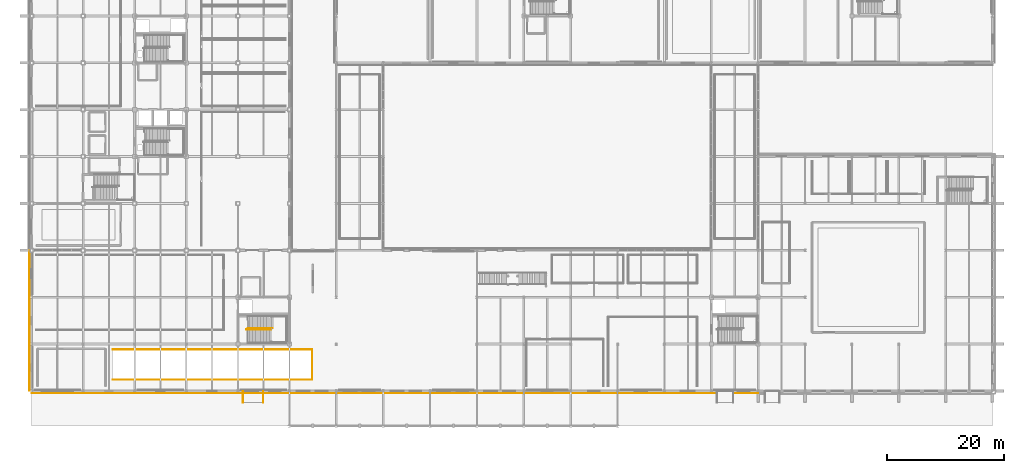
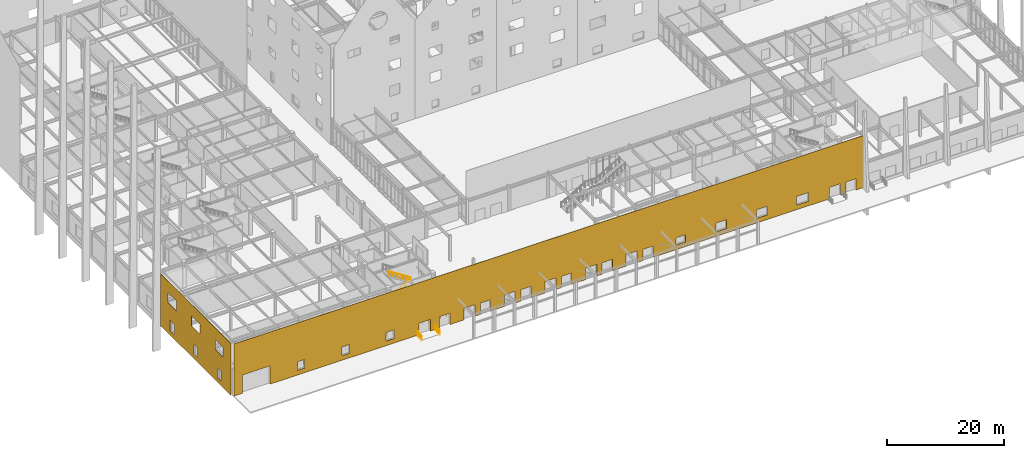
# One storey, part 101 of 119: 5 railings, 2 coverings, 28 openings.
"""IFC4 building model written with IfcOpenShell, lengths in metres."""

from ifc_helpers import new_model, si_unit, direction, frame, frame_2d, origin, origin_2d, place, context, subcontext, project, spatial, rectangle, circle, extrude, material, layer, layer_set, type_object, element, save


model = new_model("IFC4")

# Units and contexts
model_context = context("Model", 3, precision=1e-05, world=origin(), true_north=direction((0.0, 1.0)))
body_context = subcontext(model_context, "Body", "Model", "MODEL_VIEW")
ifc_project = project(units=[si_unit("LENGTHUNIT", "METRE"), si_unit("AREAUNIT", "SQUARE_METRE"), si_unit("VOLUMEUNIT", "CUBIC_METRE"), si_unit("PLANEANGLEUNIT", "RADIAN"), si_unit("MASSUNIT", "GRAM", prefix="KILO")], contexts=[model_context])

# Site, building, storey
site_placement = place(None, origin())
site = spatial("IfcSite", under=ifc_project, at=site_placement, CompositionType="ELEMENT")
building_placement = place(site_placement, origin())
building = spatial("IfcBuilding", under=site, at=building_placement, Name="Zhaolan Boulevard Law Courts", CompositionType="ELEMENT")
storey_placement = place(building_placement, origin())
storey = spatial("IfcBuildingStorey", under=building, at=storey_placement, Name="L00", CompositionType="ELEMENT", Elevation=0.0)

# Railings
ifc_material_1 = material(Name="Brushed stainless steel tubular handrail", Category="steel")
railing_type_1 = type_object("IfcRailingType", Name="STAIR HANDRAIL 900", PredefinedType="HANDRAIL", material=ifc_material_1)
railing_1_placement = place(storey_placement, frame((36.64990234375, 16.47998046875, 0.0)))
element("IfcRailing", 1, at=railing_1_placement, inside=storey, type_object=railing_type_1, Name="Stair Handrail HR-ST04-L00-1", PredefinedType="HANDRAIL", context=body_context, shape_type="SweptSolid", body=[
    extrude(circle(Radius=0.0224609375, at=origin_2d()), frame((0.0, 0.0, 0.87744140625), z_axis=(0.843501457581, 0.0, 0.537126885437), x_axis=(0.0, 1.0, 0.0)), (0.0, 0.0, 1.0), 5.026611328125),
    extrude(circle(Radius=0.01904296875, at=origin_2d()), origin(), (0.0, 0.0, 1.0), 0.85498046875),
    extrude(circle(Radius=0.01904296875, at=origin_2d()), frame((0.847900390625, 0.0, 0.5400390625)), (0.0, 0.0, 1.0), 0.85498046875),
    extrude(circle(Radius=0.01904296875, at=origin_2d()), frame((1.696044921875, 0.0, 1.080078125)), (0.0, 0.0, 1.0), 0.85498046875),
    extrude(circle(Radius=0.01904296875, at=origin_2d()), frame((2.5439453125, 0.0, 1.619873046875)), (0.0, 0.0, 1.0), 0.85498046875),
    extrude(circle(Radius=0.01904296875, at=origin_2d()), frame((3.39208984375, 0.0, 2.159912109375)), (0.0, 0.0, 1.0), 0.85498046875),
    extrude(circle(Radius=0.01904296875, at=origin_2d()), frame((4.239990234375, 0.0, 2.699951171875)), (0.0, 0.0, 1.0), 0.85498046875),
])
railing_2_placement = place(storey_placement, frame((41.175048828125, 16.699951171875, 2.699951171875)))
element("IfcRailing", 2, at=railing_2_placement, inside=storey, type_object=railing_type_1, Name="Stair Handrail HR-ST04-L00-2", PredefinedType="HANDRAIL", context=body_context, shape_type="SweptSolid", body=[
    extrude(circle(Radius=0.0224609375, at=origin_2d()), frame((0.0, 0.0, 0.87744140625), z_axis=(-0.843501457581, 0.0, 0.537126885437), x_axis=(0.0, -1.0, 0.0)), (0.0, 0.0, 1.0), 5.026611328125),
    extrude(circle(Radius=0.01904296875, at=origin_2d()), origin(), (0.0, 0.0, 1.0), 0.85498046875),
    extrude(circle(Radius=0.01904296875, at=origin_2d()), frame((-0.847900390625, 0.0, 0.5400390625)), (0.0, 0.0, 1.0), 0.85498046875),
    extrude(circle(Radius=0.01904296875, at=origin_2d()), frame((-1.696044921875, 0.0, 1.080078125)), (0.0, 0.0, 1.0), 0.85498046875),
    extrude(circle(Radius=0.01904296875, at=origin_2d()), frame((-2.5439453125, 0.0, 1.619873046875)), (0.0, 0.0, 1.0), 0.85498046875),
    extrude(circle(Radius=0.01904296875, at=origin_2d()), frame((-3.39208984375, 0.0, 2.159912109375)), (0.0, 0.0, 1.0), 0.85498046875),
    extrude(circle(Radius=0.01904296875, at=origin_2d()), frame((-4.239990234375, 0.0, 2.699951171875)), (0.0, 0.0, 1.0), 0.85498046875),
])
ifc_material_2 = material(Name="Powder-coated steel baluster guardrail", Category="steel")
railing_type_2 = type_object("IfcRailingType", Name="STAIR WELL GUARDRAIL 1120", PredefinedType="GUARDRAIL", material=ifc_material_2)
for number, where, name in (
    (3, (36.06005859375, 4.010009765625, -0.159912109375), "Accessible Ramp Guardrail RHR-01"),
    (4, (39.5400390625, 4.010009765625, -0.159912109375), "Accessible Ramp Guardrail RHR-01B"),
):
    element("IfcRailing", number, at=place(storey_placement, frame(where)), inside=storey, type_object=railing_type_2, Name=name, PredefinedType="GUARDRAIL", context=body_context, shape_type="SweptSolid", body=[
        extrude(circle(Radius=0.02392578125, at=origin_2d()), frame((0.0, 0.0, 1.09619140625), z_axis=(0.0, 0.996688107788, 0.08131922155), x_axis=(-1.0, 0.0, 0.0)), (0.0, 0.0, 1.0), 1.966552734375),
        extrude(circle(Radius=0.02099609375, at=origin_2d()), origin(), (0.0, 0.0, 1.0), 1.072021484375),
        extrude(circle(Radius=0.02099609375, at=origin_2d()), frame((0.0, 0.6533203125, 0.05322265625)), (0.0, 0.0, 1.0), 1.072021484375),
        extrude(circle(Radius=0.02099609375, at=origin_2d()), frame((0.0, 1.306640625, 0.106689453125)), (0.0, 0.0, 1.0), 1.072021484375),
        extrude(circle(Radius=0.02099609375, at=origin_2d()), frame((0.0, 1.9599609375, 0.159912109375)), (0.0, 0.0, 1.0), 1.072021484375),
    ])

# Covering, openings
ifc_material_3 = material(Name="Pale mist-grey standing-seam Al-Mg-Mn zinc-titanium")
ifc_layer = layer(ifc_material_3, 0.050048828125)
ifc_layer_set = layer_set([ifc_layer])
covering_type = type_object("IfcCoveringType", Name="STANDING SEAM CLADDING 50", PredefinedType="CLADDING", material=ifc_layer_set)
covering_1_placement = place(storey_placement, frame((0.0, 5.635009765625, 0.0), z_axis=(0.0, 0.0, 1.0), x_axis=(1.0, 0.0, 0.0)))
covering_1 = element("IfcCovering", 5, at=covering_1_placement, inside=storey, type_object=covering_type, Name="Standing-Seam Metal Wall Wrap SSC-036", PredefinedType="CLADDING", context=body_context, shape_type="SweptSolid", body=[
    extrude(rectangle(XDim=124.0, YDim=0.050048828125, at=frame_2d((62.0, 0.0))), origin(), (0.0, 0.0, 1.0), 10.85009765625),
])
opening_1_placement = place(storey_placement, frame((1.699951171875, 5.635009765625, 0.0), z_axis=(0.0, 0.0, 1.0), x_axis=(1.0, 0.0, 0.0)))
element("IfcOpeningElement", 6, at=opening_1_placement, cuts=covering_1, Name="Cladding Void VD-03", PredefinedType="OPENING", context=body_context, shape_type="SweptSolid", body=[
    extrude(rectangle(XDim=5.39990234375, YDim=3.800048828125, at=frame_2d((2.699951171875, 1.89990234375))), frame((0.0, 0.14990234375, 0.0), z_axis=(0.0, -1.0, 0.0), x_axis=(1.0, 0.0, 0.0)), (0.0, 0.0, 1.0), 0.300048828125),
])
opening_2_placement = place(storey_placement, frame((12.52490234375, 5.635009765625, 0.949951171875), z_axis=(0.0, 0.0, 1.0), x_axis=(1.0, 0.0, 0.0)))
element("IfcOpeningElement", 7, at=opening_2_placement, cuts=covering_1, Name="Cladding Void WIN-L00-001", PredefinedType="OPENING", context=body_context, shape_type="SweptSolid", body=[
    extrude(rectangle(XDim=1.35009765625, YDim=1.800048828125, at=frame_2d((0.675048828125, 0.89990234375))), frame((0.0, 0.14990234375, 0.0), z_axis=(0.0, -1.0, 0.0), x_axis=(1.0, 0.0, 0.0)), (0.0, 0.0, 1.0), 0.300048828125),
])
opening_3_placement = place(storey_placement, frame((21.25, 5.635009765625, 0.949951171875), z_axis=(0.0, 0.0, 1.0), x_axis=(1.0, 0.0, 0.0)))
element("IfcOpeningElement", 8, at=opening_3_placement, cuts=covering_1, Name="Cladding Void WIN-L00-002", PredefinedType="OPENING", context=body_context, shape_type="SweptSolid", body=[
    extrude(rectangle(XDim=1.5, YDim=1.800048828125, at=frame_2d((0.75, 0.89990234375))), frame((0.0, 0.14990234375, 0.0), z_axis=(0.0, -1.0, 0.0), x_axis=(1.0, 0.0, 0.0)), (0.0, 0.0, 1.0), 0.300048828125),
])
opening_4_placement = place(storey_placement, frame((29.97509765625, 5.635009765625, 0.949951171875), z_axis=(0.0, 0.0, 1.0), x_axis=(1.0, 0.0, 0.0)))
element("IfcOpeningElement", 9, at=opening_4_placement, cuts=covering_1, Name="Cladding Void WIN-L00-003", PredefinedType="OPENING", context=body_context, shape_type="SweptSolid", body=[
    extrude(rectangle(XDim=1.64990234375, YDim=1.800048828125, at=frame_2d((0.824951171875, 0.89990234375))), frame((0.0, 0.14990234375, 0.0), z_axis=(0.0, -1.0, 0.0), x_axis=(1.0, 0.0, 0.0)), (0.0, 0.0, 1.0), 0.300048828125),
])
opening_5_placement = place(storey_placement, frame((36.469970703125, 5.635009765625, 0.0), z_axis=(0.0, 0.0, 1.0), x_axis=(1.0, 0.0, 0.0)))
element("IfcOpeningElement", 10, at=opening_5_placement, cuts=covering_1, Name="Cladding Void ED-01", PredefinedType="OPENING", context=body_context, shape_type="SweptSolid", body=[
    extrude(rectangle(XDim=2.199951171875, YDim=2.39990234375, at=frame_2d((1.10009765625, 1.199951171875))), frame((0.0, 0.14990234375, 0.0), z_axis=(0.0, -1.0, 0.0), x_axis=(1.0, 0.0, 0.0)), (0.0, 0.0, 1.0), 0.300048828125),
])
opening_6_placement = place(storey_placement, frame((40.530029296875, 5.635009765625, 0.0), z_axis=(0.0, 0.0, 1.0), x_axis=(1.0, 0.0, 0.0)))
element("IfcOpeningElement", 11, at=opening_6_placement, cuts=covering_1, Name="Cladding Void ED-02", PredefinedType="OPENING", context=body_context, shape_type="SweptSolid", body=[
    extrude(rectangle(XDim=2.0, YDim=2.35009765625, at=frame_2d((1.0, 1.175048828125))), frame((0.0, 0.14990234375, 0.0), z_axis=(0.0, -1.0, 0.0), x_axis=(1.0, 0.0, 0.0)), (0.0, 0.0, 1.0), 0.300048828125),
])
opening_7_placement = place(storey_placement, frame((45.27001953125, 5.635009765625, 0.0), z_axis=(0.0, 0.0, 1.0), x_axis=(1.0, 0.0, 0.0)))
element("IfcOpeningElement", 12, at=opening_7_placement, cuts=covering_1, Name="Cladding Void ED-03", PredefinedType="OPENING", context=body_context, shape_type="SweptSolid", body=[
    extrude(rectangle(XDim=2.199951171875, YDim=2.39990234375, at=frame_2d((1.10009765625, 1.199951171875))), frame((0.0, 0.14990234375, 0.0), z_axis=(0.0, -1.0, 0.0), x_axis=(1.0, 0.0, 0.0)), (0.0, 0.0, 1.0), 0.300048828125),
])
opening_8_placement = place(storey_placement, frame((48.530029296875, 5.635009765625, 0.0), z_axis=(0.0, 0.0, 1.0), x_axis=(1.0, 0.0, 0.0)))
element("IfcOpeningElement", 13, at=opening_8_placement, cuts=covering_1, Name="Cladding Void ED-04", PredefinedType="OPENING", context=body_context, shape_type="SweptSolid", body=[
    extrude(rectangle(XDim=2.0, YDim=2.35009765625, at=frame_2d((1.0, 1.175048828125))), frame((0.0, 0.14990234375, 0.0), z_axis=(0.0, -1.0, 0.0), x_axis=(1.0, 0.0, 0.0)), (0.0, 0.0, 1.0), 0.300048828125),
])
opening_9_placement = place(storey_placement, frame((53.27001953125, 5.635009765625, 0.0), z_axis=(0.0, 0.0, 1.0), x_axis=(1.0, 0.0, 0.0)))
element("IfcOpeningElement", 14, at=opening_9_placement, cuts=covering_1, Name="Cladding Void ED-05", PredefinedType="OPENING", context=body_context, shape_type="SweptSolid", body=[
    extrude(rectangle(XDim=2.199951171875, YDim=2.39990234375, at=frame_2d((1.10009765625, 1.199951171875))), frame((0.0, 0.14990234375, 0.0), z_axis=(0.0, -1.0, 0.0), x_axis=(1.0, 0.0, 0.0)), (0.0, 0.0, 1.0), 0.300048828125),
])
opening_10_placement = place(storey_placement, frame((56.530029296875, 5.635009765625, 0.0), z_axis=(0.0, 0.0, 1.0), x_axis=(1.0, 0.0, 0.0)))
element("IfcOpeningElement", 15, at=opening_10_placement, cuts=covering_1, Name="Cladding Void ED-06", PredefinedType="OPENING", context=body_context, shape_type="SweptSolid", body=[
    extrude(rectangle(XDim=2.0, YDim=2.35009765625, at=frame_2d((1.0, 1.175048828125))), frame((0.0, 0.14990234375, 0.0), z_axis=(0.0, -1.0, 0.0), x_axis=(1.0, 0.0, 0.0)), (0.0, 0.0, 1.0), 0.300048828125),
])
opening_11_placement = place(storey_placement, frame((61.27001953125, 5.635009765625, 0.0), z_axis=(0.0, 0.0, 1.0), x_axis=(1.0, 0.0, 0.0)))
element("IfcOpeningElement", 16, at=opening_11_placement, cuts=covering_1, Name="Cladding Void ED-07", PredefinedType="OPENING", context=body_context, shape_type="SweptSolid", body=[
    extrude(rectangle(XDim=2.199951171875, YDim=2.39990234375, at=frame_2d((1.10009765625, 1.199951171875))), frame((0.0, 0.14990234375, 0.0), z_axis=(0.0, -1.0, 0.0), x_axis=(1.0, 0.0, 0.0)), (0.0, 0.0, 1.0), 0.300048828125),
])
opening_12_placement = place(storey_placement, frame((64.530029296875, 5.635009765625, 0.0), z_axis=(0.0, 0.0, 1.0), x_axis=(1.0, 0.0, 0.0)))
element("IfcOpeningElement", 17, at=opening_12_placement, cuts=covering_1, Name="Cladding Void ED-08", PredefinedType="OPENING", context=body_context, shape_type="SweptSolid", body=[
    extrude(rectangle(XDim=2.0, YDim=2.35009765625, at=frame_2d((1.0, 1.175048828125))), frame((0.0, 0.14990234375, 0.0), z_axis=(0.0, -1.0, 0.0), x_axis=(1.0, 0.0, 0.0)), (0.0, 0.0, 1.0), 0.300048828125),
])
opening_13_placement = place(storey_placement, frame((69.27001953125, 5.635009765625, 0.0), z_axis=(0.0, 0.0, 1.0), x_axis=(1.0, 0.0, 0.0)))
element("IfcOpeningElement", 18, at=opening_13_placement, cuts=covering_1, Name="Cladding Void ED-09", PredefinedType="OPENING", context=body_context, shape_type="SweptSolid", body=[
    extrude(rectangle(XDim=2.199951171875, YDim=2.39990234375, at=frame_2d((1.10009765625, 1.199951171875))), frame((0.0, 0.14990234375, 0.0), z_axis=(0.0, -1.0, 0.0), x_axis=(1.0, 0.0, 0.0)), (0.0, 0.0, 1.0), 0.300048828125),
])
opening_14_placement = place(storey_placement, frame((72.530029296875, 5.635009765625, 0.0), z_axis=(0.0, 0.0, 1.0), x_axis=(1.0, 0.0, 0.0)))
element("IfcOpeningElement", 19, at=opening_14_placement, cuts=covering_1, Name="Cladding Void ED-10", PredefinedType="OPENING", context=body_context, shape_type="SweptSolid", body=[
    extrude(rectangle(XDim=2.0, YDim=2.35009765625, at=frame_2d((1.0, 1.175048828125))), frame((0.0, 0.14990234375, 0.0), z_axis=(0.0, -1.0, 0.0), x_axis=(1.0, 0.0, 0.0)), (0.0, 0.0, 1.0), 0.300048828125),
])
opening_15_placement = place(storey_placement, frame((77.27001953125, 5.635009765625, 0.0), z_axis=(0.0, 0.0, 1.0), x_axis=(1.0, 0.0, 0.0)))
element("IfcOpeningElement", 20, at=opening_15_placement, cuts=covering_1, Name="Cladding Void ED-11", PredefinedType="OPENING", context=body_context, shape_type="SweptSolid", body=[
    extrude(rectangle(XDim=2.199951171875, YDim=2.39990234375, at=frame_2d((1.10009765625, 1.199951171875))), frame((0.0, 0.14990234375, 0.0), z_axis=(0.0, -1.0, 0.0), x_axis=(1.0, 0.0, 0.0)), (0.0, 0.0, 1.0), 0.300048828125),
])
opening_16_placement = place(storey_placement, frame((80.530029296875, 5.635009765625, 0.0), z_axis=(0.0, 0.0, 1.0), x_axis=(1.0, 0.0, 0.0)))
element("IfcOpeningElement", 21, at=opening_16_placement, cuts=covering_1, Name="Cladding Void ED-12", PredefinedType="OPENING", context=body_context, shape_type="SweptSolid", body=[
    extrude(rectangle(XDim=2.0, YDim=2.35009765625, at=frame_2d((1.0, 1.175048828125))), frame((0.0, 0.14990234375, 0.0), z_axis=(0.0, -1.0, 0.0), x_axis=(1.0, 0.0, 0.0)), (0.0, 0.0, 1.0), 0.300048828125),
])
opening_17_placement = place(storey_placement, frame((87.10009765625, 5.635009765625, 0.949951171875), z_axis=(0.0, 0.0, 1.0), x_axis=(1.0, 0.0, 0.0)))
element("IfcOpeningElement", 22, at=opening_17_placement, cuts=covering_1, Name="Cladding Void WIN-L00-004", PredefinedType="OPENING", context=body_context, shape_type="SweptSolid", body=[
    extrude(rectangle(XDim=1.800048828125, YDim=1.5, at=frame_2d((0.89990234375, 0.75))), frame((0.0, 0.14990234375, 0.0), z_axis=(0.0, -1.0, 0.0), x_axis=(1.0, 0.0, 0.0)), (0.0, 0.0, 1.0), 0.300048828125),
])
opening_18_placement = place(storey_placement, frame((95.0, 5.635009765625, 0.949951171875), z_axis=(0.0, 0.0, 1.0), x_axis=(1.0, 0.0, 0.0)))
element("IfcOpeningElement", 23, at=opening_18_placement, cuts=covering_1, Name="Cladding Void WIN-L00-005", PredefinedType="OPENING", context=body_context, shape_type="SweptSolid", body=[
    extrude(rectangle(XDim=2.0, YDim=1.800048828125, at=frame_2d((1.0, 0.89990234375))), frame((0.0, 0.14990234375, 0.0), z_axis=(0.0, -1.0, 0.0), x_axis=(1.0, 0.0, 0.0)), (0.0, 0.0, 1.0), 0.300048828125),
])
opening_19_placement = place(storey_placement, frame((102.89990234375, 5.635009765625, 0.949951171875), z_axis=(0.0, 0.0, 1.0), x_axis=(1.0, 0.0, 0.0)))
element("IfcOpeningElement", 24, at=opening_19_placement, cuts=covering_1, Name="Cladding Void WIN-L00-006", PredefinedType="OPENING", context=body_context, shape_type="SweptSolid", body=[
    extrude(rectangle(XDim=2.199951171875, YDim=1.800048828125, at=frame_2d((1.10009765625, 0.89990234375))), frame((0.0, 0.14990234375, 0.0), z_axis=(0.0, -1.0, 0.0), x_axis=(1.0, 0.0, 0.0)), (0.0, 0.0, 1.0), 0.300048828125),
])
opening_20_placement = place(storey_placement, frame((110.800048828125, 5.635009765625, 0.949951171875), z_axis=(0.0, 0.0, 1.0), x_axis=(1.0, 0.0, 0.0)))
element("IfcOpeningElement", 25, at=opening_20_placement, cuts=covering_1, Name="Cladding Void WIN-L00-007", PredefinedType="OPENING", context=body_context, shape_type="SweptSolid", body=[
    extrude(rectangle(XDim=2.39990234375, YDim=1.800048828125, at=frame_2d((1.199951171875, 0.89990234375))), frame((0.0, 0.14990234375, 0.0), z_axis=(0.0, -1.0, 0.0), x_axis=(1.0, 0.0, 0.0)), (0.0, 0.0, 1.0), 0.300048828125),
])
opening_21_placement = place(storey_placement, frame((117.27001953125, 5.635009765625, 0.0), z_axis=(0.0, 0.0, 1.0), x_axis=(1.0, 0.0, 0.0)))
element("IfcOpeningElement", 26, at=opening_21_placement, cuts=covering_1, Name="Cladding Void ED-13", PredefinedType="OPENING", context=body_context, shape_type="SweptSolid", body=[
    extrude(rectangle(XDim=2.199951171875, YDim=2.39990234375, at=frame_2d((1.10009765625, 1.199951171875))), frame((0.0, 0.14990234375, 0.0), z_axis=(0.0, -1.0, 0.0), x_axis=(1.0, 0.0, 0.0)), (0.0, 0.0, 1.0), 0.300048828125),
])
opening_22_placement = place(storey_placement, frame((120.530029296875, 5.635009765625, 0.0), z_axis=(0.0, 0.0, 1.0), x_axis=(1.0, 0.0, 0.0)))
element("IfcOpeningElement", 27, at=opening_22_placement, cuts=covering_1, Name="Cladding Void ED-14", PredefinedType="OPENING", context=body_context, shape_type="SweptSolid", body=[
    extrude(rectangle(XDim=2.0, YDim=2.35009765625, at=frame_2d((1.0, 1.175048828125))), frame((0.0, 0.14990234375, 0.0), z_axis=(0.0, -1.0, 0.0), x_axis=(1.0, 0.0, 0.0)), (0.0, 0.0, 1.0), 0.300048828125),
])

covering_2_placement = place(storey_placement, frame((-0.364990234375, 30.0, 0.0), z_axis=(0.0, 0.0, 1.0), x_axis=(0.0, -1.0, 0.0)))
covering_2 = element("IfcCovering", 28, at=covering_2_placement, inside=storey, type_object=covering_type, Name="Standing-Seam Metal Wall Wrap SSC-037", PredefinedType="CLADDING", context=body_context, shape_type="SweptSolid", body=[
    extrude(rectangle(XDim=24.0, YDim=0.050048828125, at=frame_2d((12.0, 0.0))), origin(), (0.0, 0.0, 1.0), 10.85009765625),
])
opening_23_placement = place(storey_placement, frame((-0.364990234375, 10.60009765625, 0.949951171875), z_axis=(0.0, 0.0, 1.0), x_axis=(0.0, -1.0, 0.0)))
element("IfcOpeningElement", 29, at=opening_23_placement, cuts=covering_2, Name="Cladding Void WIN-L00-008", PredefinedType="OPENING", context=body_context, shape_type="SweptSolid", body=[
    extrude(rectangle(XDim=1.199951171875, YDim=2.10009765625, at=frame_2d((0.60009765625, 1.050048828125))), frame((0.0, 0.14990234375, 0.0), z_axis=(0.0, -1.0, 0.0), x_axis=(1.0, 0.0, 0.0)), (0.0, 0.0, 1.0), 0.300048828125),
])
opening_24_placement = place(storey_placement, frame((-0.364990234375, 18.675048828125, 0.949951171875), z_axis=(0.0, 0.0, 1.0), x_axis=(0.0, -1.0, 0.0)))
element("IfcOpeningElement", 30, at=opening_24_placement, cuts=covering_2, Name="Cladding Void WIN-L00-009", PredefinedType="OPENING", context=body_context, shape_type="SweptSolid", body=[
    extrude(rectangle(XDim=1.35009765625, YDim=2.10009765625, at=frame_2d((0.675048828125, 1.050048828125))), frame((0.0, 0.14990234375, 0.0), z_axis=(0.0, -1.0, 0.0), x_axis=(1.0, 0.0, 0.0)), (0.0, 0.0, 1.0), 0.300048828125),
])
opening_25_placement = place(storey_placement, frame((-0.364990234375, 26.75, 0.949951171875), z_axis=(0.0, 0.0, 1.0), x_axis=(0.0, -1.0, 0.0)))
element("IfcOpeningElement", 31, at=opening_25_placement, cuts=covering_2, Name="Cladding Void WIN-L00-010", PredefinedType="OPENING", context=body_context, shape_type="SweptSolid", body=[
    extrude(rectangle(XDim=1.5, YDim=2.10009765625, at=frame_2d((0.75, 1.050048828125))), frame((0.0, 0.14990234375, 0.0), z_axis=(0.0, -1.0, 0.0), x_axis=(1.0, 0.0, 0.0)), (0.0, 0.0, 1.0), 0.300048828125),
])
opening_26_placement = place(storey_placement, frame((-0.364990234375, 11.300048828125, 6.35009765625), z_axis=(0.0, 0.0, 1.0), x_axis=(0.0, -1.0, 0.0)))
element("IfcOpeningElement", 32, at=opening_26_placement, cuts=covering_2, Name="Cladding Void WIN-L01-016", PredefinedType="OPENING", context=body_context, shape_type="SweptSolid", body=[
    extrude(rectangle(XDim=2.60009765625, YDim=2.10009765625, at=frame_2d((1.300048828125, 1.050048828125))), frame((0.0, 0.14990234375, 0.0), z_axis=(0.0, -1.0, 0.0), x_axis=(1.0, 0.0, 0.0)), (0.0, 0.0, 1.0), 0.300048828125),
])
opening_27_placement = place(storey_placement, frame((-0.364990234375, 19.39990234375, 6.35009765625), z_axis=(0.0, 0.0, 1.0), x_axis=(0.0, -1.0, 0.0)))
element("IfcOpeningElement", 33, at=opening_27_placement, cuts=covering_2, Name="Cladding Void WIN-L01-017", PredefinedType="OPENING", context=body_context, shape_type="SweptSolid", body=[
    extrude(rectangle(XDim=2.800048828125, YDim=2.10009765625, at=frame_2d((1.39990234375, 1.050048828125))), frame((0.0, 0.14990234375, 0.0), z_axis=(0.0, -1.0, 0.0), x_axis=(1.0, 0.0, 0.0)), (0.0, 0.0, 1.0), 0.300048828125),
])
opening_28_placement = place(storey_placement, frame((-0.364990234375, 27.5, 6.35009765625), z_axis=(0.0, 0.0, 1.0), x_axis=(0.0, -1.0, 0.0)))
element("IfcOpeningElement", 34, at=opening_28_placement, cuts=covering_2, Name="Cladding Void WIN-L01-018", PredefinedType="OPENING", context=body_context, shape_type="SweptSolid", body=[
    extrude(rectangle(XDim=3.0, YDim=2.10009765625, at=frame_2d((1.5, 1.050048828125))), frame((0.0, 0.14990234375, 0.0), z_axis=(0.0, -1.0, 0.0), x_axis=(1.0, 0.0, 0.0)), (0.0, 0.0, 1.0), 0.300048828125),
])

# Railing
ifc_material_4 = material(Name="Stainless steel 316L and laminated glass", Category="steel")
railing_type_3 = type_object("IfcRailingType", Name="TERRACE GUARDRAIL 1150", PredefinedType="GUARDRAIL", material=ifc_material_4)
railing_3_placement = place(storey_placement, frame((13.85009765625, 7.919921875, 0.0)))
element("IfcRailing", 35, at=railing_3_placement, inside=storey, type_object=railing_type_3, Name="Terrace Guardrail GR-VR01-L00", PredefinedType="GUARDRAIL", context=body_context, shape_type="SweptSolid", body=[
    extrude(circle(Radius=0.02490234375, at=origin_2d()), frame((0.0, 0.0, 1.125), z_axis=(1.0, 0.0, 0.0), x_axis=(0.0, 1.0, 0.0)), (0.0, 0.0, 1.0), 34.02978515625),
    extrude(circle(Radius=0.02490234375, at=origin_2d()), frame((34.02978515625, 0.0, 1.125), z_axis=(0.0, 1.0, 0.0), x_axis=(-1.0, 0.0, 0.0)), (0.0, 0.0, 1.0), 5.16015625),
    extrude(circle(Radius=0.02490234375, at=origin_2d()), frame((34.02978515625, 5.16015625, 1.125), z_axis=(-1.0, 0.0, 0.0), x_axis=(0.0, -1.0, 0.0)), (0.0, 0.0, 1.0), 34.02978515625),
    extrude(circle(Radius=0.0224609375, at=origin_2d()), origin(), (0.0, 0.0, 1.0), 1.099853515625),
    extrude(circle(Radius=0.0224609375, at=origin_2d()), frame((1.17333984375, 0.0, 0.0)), (0.0, 0.0, 1.0), 1.099853515625),
    extrude(circle(Radius=0.0224609375, at=origin_2d()), frame((2.346923828125, 0.0, 0.0)), (0.0, 0.0, 1.0), 1.099853515625),
    extrude(circle(Radius=0.0224609375, at=origin_2d()), frame((3.520263671875, 0.0, 0.0)), (0.0, 0.0, 1.0), 1.099853515625),
    extrude(circle(Radius=0.0224609375, at=origin_2d()), frame((4.69384765625, 0.0, 0.0)), (0.0, 0.0, 1.0), 1.099853515625),
    extrude(circle(Radius=0.0224609375, at=origin_2d()), frame((5.8671875, 0.0, 0.0)), (0.0, 0.0, 1.0), 1.099853515625),
    extrude(circle(Radius=0.0224609375, at=origin_2d()), frame((7.04052734375, 0.0, 0.0)), (0.0, 0.0, 1.0), 1.099853515625),
    extrude(circle(Radius=0.0224609375, at=origin_2d()), frame((8.214111328125, 0.0, 0.0)), (0.0, 0.0, 1.0), 1.099853515625),
    extrude(circle(Radius=0.0224609375, at=origin_2d()), frame((9.387451171875, 0.0, 0.0)), (0.0, 0.0, 1.0), 1.099853515625),
    extrude(circle(Radius=0.0224609375, at=origin_2d()), frame((10.56103515625, 0.0, 0.0)), (0.0, 0.0, 1.0), 1.099853515625),
    extrude(circle(Radius=0.0224609375, at=origin_2d()), frame((11.734375, 0.0, 0.0)), (0.0, 0.0, 1.0), 1.099853515625),
    extrude(circle(Radius=0.0224609375, at=origin_2d()), frame((12.907958984375, 0.0, 0.0)), (0.0, 0.0, 1.0), 1.099853515625),
    extrude(circle(Radius=0.0224609375, at=origin_2d()), frame((14.081298828125, 0.0, 0.0)), (0.0, 0.0, 1.0), 1.099853515625),
    extrude(circle(Radius=0.0224609375, at=origin_2d()), frame((15.254638671875, 0.0, 0.0)), (0.0, 0.0, 1.0), 1.099853515625),
    extrude(circle(Radius=0.0224609375, at=origin_2d()), frame((16.42822265625, 0.0, 0.0)), (0.0, 0.0, 1.0), 1.099853515625),
    extrude(circle(Radius=0.0224609375, at=origin_2d()), frame((17.6015625, 0.0, 0.0)), (0.0, 0.0, 1.0), 1.099853515625),
    extrude(circle(Radius=0.0224609375, at=origin_2d()), frame((18.775146484375, 0.0, 0.0)), (0.0, 0.0, 1.0), 1.099853515625),
    extrude(circle(Radius=0.0224609375, at=origin_2d()), frame((19.948486328125, 0.0, 0.0)), (0.0, 0.0, 1.0), 1.099853515625),
    extrude(circle(Radius=0.0224609375, at=origin_2d()), frame((21.121826171875, 0.0, 0.0)), (0.0, 0.0, 1.0), 1.099853515625),
    extrude(circle(Radius=0.0224609375, at=origin_2d()), frame((22.29541015625, 0.0, 0.0)), (0.0, 0.0, 1.0), 1.099853515625),
    extrude(circle(Radius=0.0224609375, at=origin_2d()), frame((23.46875, 0.0, 0.0)), (0.0, 0.0, 1.0), 1.099853515625),
    extrude(circle(Radius=0.0224609375, at=origin_2d()), frame((24.642333984375, 0.0, 0.0)), (0.0, 0.0, 1.0), 1.099853515625),
    extrude(circle(Radius=0.0224609375, at=origin_2d()), frame((25.815673828125, 0.0, 0.0)), (0.0, 0.0, 1.0), 1.099853515625),
    extrude(circle(Radius=0.0224609375, at=origin_2d()), frame((26.9892578125, 0.0, 0.0)), (0.0, 0.0, 1.0), 1.099853515625),
    extrude(circle(Radius=0.0224609375, at=origin_2d()), frame((28.16259765625, 0.0, 0.0)), (0.0, 0.0, 1.0), 1.099853515625),
    extrude(circle(Radius=0.0224609375, at=origin_2d()), frame((29.3359375, 0.0, 0.0)), (0.0, 0.0, 1.0), 1.099853515625),
    extrude(circle(Radius=0.0224609375, at=origin_2d()), frame((30.509521484375, 0.0, 0.0)), (0.0, 0.0, 1.0), 1.099853515625),
    extrude(circle(Radius=0.0224609375, at=origin_2d()), frame((31.682861328125, 0.0, 0.0)), (0.0, 0.0, 1.0), 1.099853515625),
    extrude(circle(Radius=0.0224609375, at=origin_2d()), frame((32.8564453125, 0.0, 0.0)), (0.0, 0.0, 1.0), 1.099853515625),
    extrude(circle(Radius=0.0224609375, at=origin_2d()), frame((34.02978515625, 0.0, 0.0)), (0.0, 0.0, 1.0), 1.099853515625),
    extrude(circle(Radius=0.0224609375, at=origin_2d()), frame((34.02978515625, 1.031982421875, 0.0)), (0.0, 0.0, 1.0), 1.099853515625),
    extrude(circle(Radius=0.0224609375, at=origin_2d()), frame((34.02978515625, 2.06396484375, 0.0)), (0.0, 0.0, 1.0), 1.099853515625),
    extrude(circle(Radius=0.0224609375, at=origin_2d()), frame((34.02978515625, 3.09619140625, 0.0)), (0.0, 0.0, 1.0), 1.099853515625),
    extrude(circle(Radius=0.0224609375, at=origin_2d()), frame((34.02978515625, 4.128173828125, 0.0)), (0.0, 0.0, 1.0), 1.099853515625),
    extrude(circle(Radius=0.0224609375, at=origin_2d()), frame((34.02978515625, 5.16015625, 0.0)), (0.0, 0.0, 1.0), 1.099853515625),
    extrude(circle(Radius=0.0224609375, at=origin_2d()), frame((32.8564453125, 5.16015625, 0.0)), (0.0, 0.0, 1.0), 1.099853515625),
    extrude(circle(Radius=0.0224609375, at=origin_2d()), frame((31.682861328125, 5.16015625, 0.0)), (0.0, 0.0, 1.0), 1.099853515625),
    extrude(circle(Radius=0.0224609375, at=origin_2d()), frame((30.509521484375, 5.16015625, 0.0)), (0.0, 0.0, 1.0), 1.099853515625),
    extrude(circle(Radius=0.0224609375, at=origin_2d()), frame((29.3359375, 5.16015625, 0.0)), (0.0, 0.0, 1.0), 1.099853515625),
    extrude(circle(Radius=0.0224609375, at=origin_2d()), frame((28.16259765625, 5.16015625, 0.0)), (0.0, 0.0, 1.0), 1.099853515625),
    extrude(circle(Radius=0.0224609375, at=origin_2d()), frame((26.9892578125, 5.16015625, 0.0)), (0.0, 0.0, 1.0), 1.099853515625),
    extrude(circle(Radius=0.0224609375, at=origin_2d()), frame((25.815673828125, 5.16015625, 0.0)), (0.0, 0.0, 1.0), 1.099853515625),
    extrude(circle(Radius=0.0224609375, at=origin_2d()), frame((24.642333984375, 5.16015625, 0.0)), (0.0, 0.0, 1.0), 1.099853515625),
    extrude(circle(Radius=0.0224609375, at=origin_2d()), frame((23.46875, 5.16015625, 0.0)), (0.0, 0.0, 1.0), 1.099853515625),
    extrude(circle(Radius=0.0224609375, at=origin_2d()), frame((22.29541015625, 5.16015625, 0.0)), (0.0, 0.0, 1.0), 1.099853515625),
    extrude(circle(Radius=0.0224609375, at=origin_2d()), frame((21.121826171875, 5.16015625, 0.0)), (0.0, 0.0, 1.0), 1.099853515625),
    extrude(circle(Radius=0.0224609375, at=origin_2d()), frame((19.948486328125, 5.16015625, 0.0)), (0.0, 0.0, 1.0), 1.099853515625),
    extrude(circle(Radius=0.0224609375, at=origin_2d()), frame((18.775146484375, 5.16015625, 0.0)), (0.0, 0.0, 1.0), 1.099853515625),
    extrude(circle(Radius=0.0224609375, at=origin_2d()), frame((17.6015625, 5.16015625, 0.0)), (0.0, 0.0, 1.0), 1.099853515625),
    extrude(circle(Radius=0.0224609375, at=origin_2d()), frame((16.42822265625, 5.16015625, 0.0)), (0.0, 0.0, 1.0), 1.099853515625),
    extrude(circle(Radius=0.0224609375, at=origin_2d()), frame((15.254638671875, 5.16015625, 0.0)), (0.0, 0.0, 1.0), 1.099853515625),
    extrude(circle(Radius=0.0224609375, at=origin_2d()), frame((14.081298828125, 5.16015625, 0.0)), (0.0, 0.0, 1.0), 1.099853515625),
    extrude(circle(Radius=0.0224609375, at=origin_2d()), frame((12.907958984375, 5.16015625, 0.0)), (0.0, 0.0, 1.0), 1.099853515625),
    extrude(circle(Radius=0.0224609375, at=origin_2d()), frame((11.734375, 5.16015625, 0.0)), (0.0, 0.0, 1.0), 1.099853515625),
    extrude(circle(Radius=0.0224609375, at=origin_2d()), frame((10.56103515625, 5.16015625, 0.0)), (0.0, 0.0, 1.0), 1.099853515625),
    extrude(circle(Radius=0.0224609375, at=origin_2d()), frame((9.387451171875, 5.16015625, 0.0)), (0.0, 0.0, 1.0), 1.099853515625),
    extrude(circle(Radius=0.0224609375, at=origin_2d()), frame((8.214111328125, 5.16015625, 0.0)), (0.0, 0.0, 1.0), 1.099853515625),
    extrude(circle(Radius=0.0224609375, at=origin_2d()), frame((7.04052734375, 5.16015625, 0.0)), (0.0, 0.0, 1.0), 1.099853515625),
    extrude(circle(Radius=0.0224609375, at=origin_2d()), frame((5.8671875, 5.16015625, 0.0)), (0.0, 0.0, 1.0), 1.099853515625),
    extrude(circle(Radius=0.0224609375, at=origin_2d()), frame((4.69384765625, 5.16015625, 0.0)), (0.0, 0.0, 1.0), 1.099853515625),
    extrude(circle(Radius=0.0224609375, at=origin_2d()), frame((3.520263671875, 5.16015625, 0.0)), (0.0, 0.0, 1.0), 1.099853515625),
    extrude(circle(Radius=0.0224609375, at=origin_2d()), frame((2.346923828125, 5.16015625, 0.0)), (0.0, 0.0, 1.0), 1.099853515625),
    extrude(circle(Radius=0.0224609375, at=origin_2d()), frame((1.17333984375, 5.16015625, 0.0)), (0.0, 0.0, 1.0), 1.099853515625),
    extrude(circle(Radius=0.0224609375, at=origin_2d()), frame((0.0, 5.16015625, 0.0)), (0.0, 0.0, 1.0), 1.099853515625),
])

save(model, "model.ifc")
